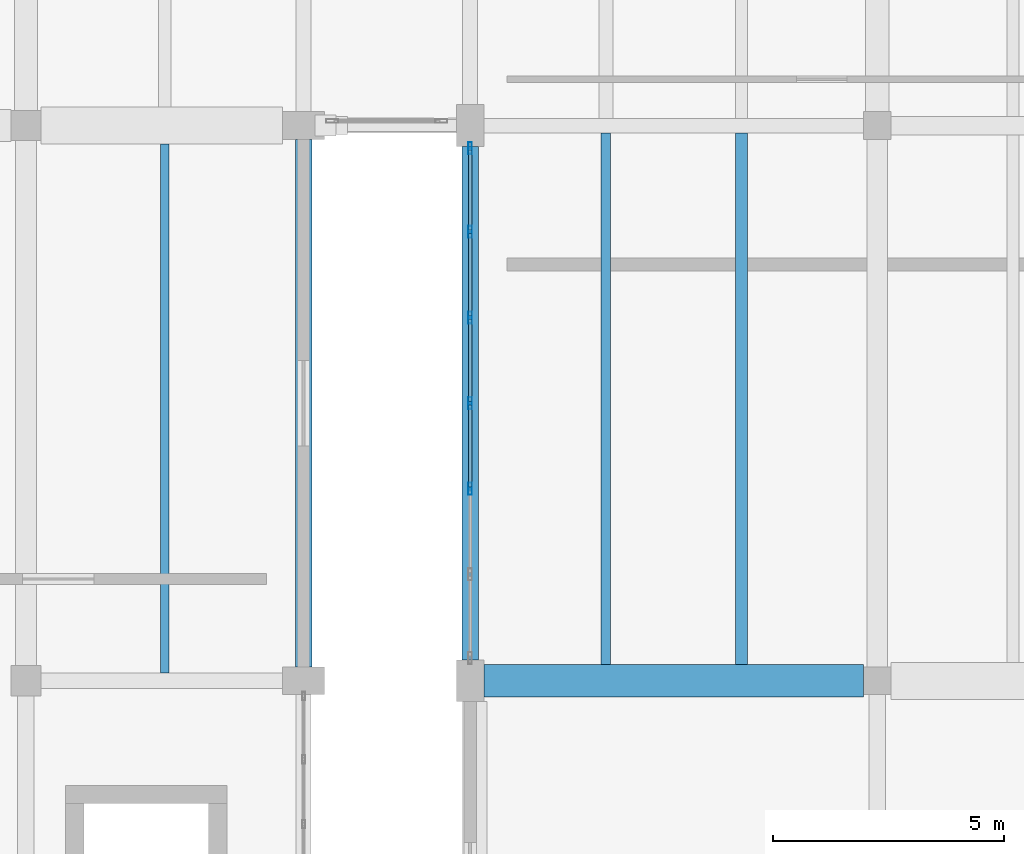
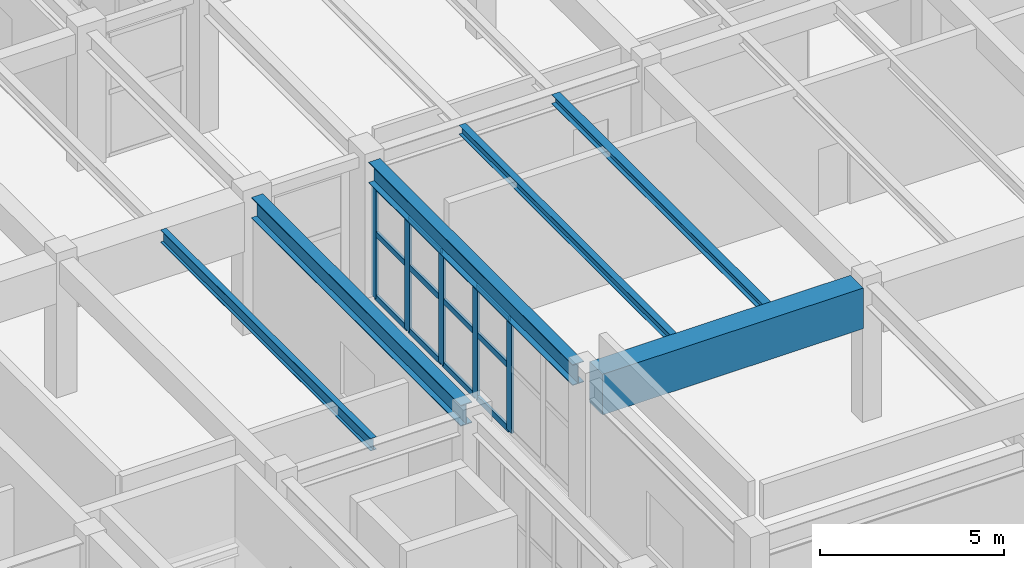
# One storey, part 29 of 85: 17 members, 6 beams, 1 element without a shape of its own.
"""IFC4 building model written with IfcOpenShell, lengths in metres."""

from ifc_helpers import new_model, si_unit, direction, frame, origin, origin_2d, place, context, subcontext, project, spatial, rectangle, hollow_rectangle, i_section, extrude, material, layer, layer_set, material_profile, profile_set, type_object, element, aggregate, save


model = new_model("IFC4")

# Units and contexts
model_context = context("Model", 3, precision=1e-05, world=origin(), true_north=direction((0.0, 1.0)))
body_context = subcontext(model_context, "Body", "Model", "MODEL_VIEW")
ifc_project = project(units=[si_unit("LENGTHUNIT", "METRE"), si_unit("AREAUNIT", "SQUARE_METRE"), si_unit("VOLUMEUNIT", "CUBIC_METRE"), si_unit("PLANEANGLEUNIT", "RADIAN"), si_unit("MASSUNIT", "GRAM", prefix="KILO")], contexts=[model_context])

# Site, building, storey
site_placement = place(None, origin())
site = spatial("IfcSite", under=ifc_project, at=site_placement, CompositionType="ELEMENT")
building_placement = place(site_placement, origin())
building = spatial("IfcBuilding", under=site, at=building_placement, Name="Vaelkrest Opera House", CompositionType="ELEMENT")
storey_placement = place(building_placement, frame((0.0, 0.0, 10.199951171875)))
storey = spatial("IfcBuildingStorey", under=building, at=storey_placement, Name="L02", CompositionType="ELEMENT", Elevation=10.199951171875)

# Beam
ifc_material_1 = material(Name="Concrete C50/60", Category="concrete")
ifc_material_profile_1 = material_profile(ifc_material_1, rectangle(XDim=0.699951171875, YDim=1.35009765625, at=origin_2d()), Name="RCB700X1350")
ifc_profile_set_1 = profile_set([ifc_material_profile_1], Name="Concrete C50/60")
beam_type_1 = type_object("IfcBeamType", Name="B06", PredefinedType="BEAM", material=ifc_profile_set_1)
beam_1_placement = place(storey_placement, frame((33.89990234375, -19.800048828125, 3.830078125), z_axis=(1.0, 0.0, 0.0), x_axis=(0.0, 1.0, 0.0)))
element("IfcBeam", 1, at=beam_1_placement, inside=storey, type_object=beam_type_1, Name="Beam BM-V4-L02-2255", PredefinedType="BEAM", context=body_context, shape_type="SweptSolid", body=[
    extrude(rectangle(XDim=0.699951171875, YDim=1.35009765625, at=origin_2d()), origin(), (0.0, 0.0, 1.0), 8.2001953125),
])

# Curtain wall, members
ifc_material_2 = material(Name="Dark bronze anodized aluminium", Category="aluminium")
ifc_layer = layer(ifc_material_2, 0.2099609375)
ifc_layer_set = layer_set([ifc_layer], Name="Dark bronze anodized aluminium")
curtain_wall_type = type_object("IfcCurtainWallType", Name="CW04", PredefinedType="NOTDEFINED", material=ifc_layer_set)
curtain_wall_placement = place(storey_placement, origin())
curtain_wall = element("IfcCurtainWall", 2, at=curtain_wall_placement, inside=storey, type_object=curtain_wall_type, Name="Curtain wall CW-L02-161", PredefinedType="NOTDEFINED")
ifc_material_profile_2 = material_profile(ifc_material_2, hollow_rectangle(XDim=0.080078125, YDim=0.260009765625, WallThickness=0.0048828125, at=origin_2d()), Name="CWM80X260")
ifc_profile_set_2 = profile_set([ifc_material_profile_2], Name="Dark bronze anodized aluminium")
member_type_1 = type_object("IfcMemberType", Name="CWM04", PredefinedType="MULLION", material=ifc_profile_set_2)
member_1_placement = place(storey_placement, frame((33.60009765625, -15.650634765625, 0.0), z_axis=(0.0, 0.0, 1.0), x_axis=(-1.0, 0.0, 0.0)))
member_1 = element("IfcMember", 3, at=member_1_placement, type_object=member_type_1, Name="CW04 mullion 3", PredefinedType="MULLION", context=body_context, shape_type="SweptSolid", body=[
    extrude(hollow_rectangle(XDim=0.080078125, YDim=0.260009765625, WallThickness=0.0048828125, at=origin_2d()), origin(), (0.0, 0.0, 1.0), 3.7451171875),
])
member_2_placement = place(storey_placement, frame((33.60009765625, -13.800048828125, 0.0), z_axis=(0.0, 0.0, 1.0), x_axis=(-1.0, 0.0, 0.0)))
member_2 = element("IfcMember", 4, at=member_2_placement, type_object=member_type_1, Name="CW04 mullion 4", PredefinedType="MULLION", context=body_context, shape_type="SweptSolid", body=[
    extrude(hollow_rectangle(XDim=0.080078125, YDim=0.260009765625, WallThickness=0.0048828125, at=origin_2d()), origin(), (0.0, 0.0, 1.0), 3.7451171875),
])
member_3_placement = place(storey_placement, frame((33.60009765625, -11.94921875, 0.0), z_axis=(0.0, 0.0, 1.0), x_axis=(-1.0, 0.0, 0.0)))
member_3 = element("IfcMember", 5, at=member_3_placement, type_object=member_type_1, Name="CW04 mullion 5", PredefinedType="MULLION", context=body_context, shape_type="SweptSolid", body=[
    extrude(hollow_rectangle(XDim=0.080078125, YDim=0.260009765625, WallThickness=0.0048828125, at=origin_2d()), origin(), (0.0, 0.0, 1.0), 3.7451171875),
])
member_4_placement = place(storey_placement, frame((33.60009765625, -10.0986328125, 0.0), z_axis=(0.0, 0.0, 1.0), x_axis=(-1.0, 0.0, 0.0)))
member_4 = element("IfcMember", 6, at=member_4_placement, type_object=member_type_1, Name="CW04 mullion 6", PredefinedType="MULLION", context=body_context, shape_type="SweptSolid", body=[
    extrude(hollow_rectangle(XDim=0.080078125, YDim=0.260009765625, WallThickness=0.0048828125, at=origin_2d()), origin(), (0.0, 0.0, 1.0), 3.7451171875),
])
member_5_placement = place(storey_placement, frame((33.60009765625, -8.2880859375, 0.0), z_axis=(0.0, 0.0, 1.0), x_axis=(-1.0, 0.0, 0.0)))
member_5 = element("IfcMember", 7, at=member_5_placement, type_object=member_type_1, Name="CW04 mullion 7", PredefinedType="MULLION", context=body_context, shape_type="SweptSolid", body=[
    extrude(hollow_rectangle(XDim=0.080078125, YDim=0.260009765625, WallThickness=0.0048828125, at=origin_2d()), origin(), (0.0, 0.0, 1.0), 3.7451171875),
])
ifc_material_profile_3 = material_profile(ifc_material_2, hollow_rectangle(XDim=0.080078125, YDim=0.18994140625, WallThickness=0.0048828125, at=origin_2d()), Name="CWT80X190")
ifc_profile_set_3 = profile_set([ifc_material_profile_3], Name="Dark bronze anodized aluminium")
member_type_2 = type_object("IfcMemberType", Name="CWT04", PredefinedType="USERDEFINED", material=ifc_profile_set_3)
member_6_placement = place(storey_placement, frame((33.60009765625, -15.610595703125, 0.0400390625), z_axis=(0.0, 1.0, 0.0), x_axis=(-1.0, 0.0, 0.0)))
member_6 = element("IfcMember", 8, at=member_6_placement, type_object=member_type_2, Name="CW04 transom 3.1", ObjectType="TRANSOM", PredefinedType="USERDEFINED", context=body_context, shape_type="SweptSolid", body=[
    extrude(hollow_rectangle(XDim=0.080078125, YDim=0.18994140625, WallThickness=0.0048828125, at=origin_2d()), origin(), (0.0, 0.0, 1.0), 1.7705078125),
])
member_7_placement = place(storey_placement, frame((33.60009765625, -15.610595703125, 2.150146484375), z_axis=(0.0, 1.0, 0.0), x_axis=(-1.0, 0.0, 0.0)))
member_7 = element("IfcMember", 9, at=member_7_placement, type_object=member_type_2, Name="CW04 transom 3.2", ObjectType="TRANSOM", PredefinedType="USERDEFINED", context=body_context, shape_type="SweptSolid", body=[
    extrude(hollow_rectangle(XDim=0.080078125, YDim=0.18994140625, WallThickness=0.0048828125, at=origin_2d()), origin(), (0.0, 0.0, 1.0), 1.7705078125),
])
member_8_placement = place(storey_placement, frame((33.60009765625, -15.610595703125, 3.705078125), z_axis=(0.0, 1.0, 0.0), x_axis=(-1.0, 0.0, 0.0)))
member_8 = element("IfcMember", 10, at=member_8_placement, type_object=member_type_2, Name="CW04 transom 3.3", ObjectType="TRANSOM", PredefinedType="USERDEFINED", context=body_context, shape_type="SweptSolid", body=[
    extrude(hollow_rectangle(XDim=0.080078125, YDim=0.18994140625, WallThickness=0.0048828125, at=origin_2d()), origin(), (0.0, 0.0, 1.0), 1.7705078125),
])
member_9_placement = place(storey_placement, frame((33.60009765625, -13.760009765625, 0.0400390625), z_axis=(0.0, 1.0, 0.0), x_axis=(-1.0, 0.0, 0.0)))
member_9 = element("IfcMember", 11, at=member_9_placement, type_object=member_type_2, Name="CW04 transom 4.1", ObjectType="TRANSOM", PredefinedType="USERDEFINED", context=body_context, shape_type="SweptSolid", body=[
    extrude(hollow_rectangle(XDim=0.080078125, YDim=0.18994140625, WallThickness=0.0048828125, at=origin_2d()), origin(), (0.0, 0.0, 1.0), 1.770751953125),
])
member_10_placement = place(storey_placement, frame((33.60009765625, -13.760009765625, 2.150146484375), z_axis=(0.0, 1.0, 0.0), x_axis=(-1.0, 0.0, 0.0)))
member_10 = element("IfcMember", 12, at=member_10_placement, type_object=member_type_2, Name="CW04 transom 4.2", ObjectType="TRANSOM", PredefinedType="USERDEFINED", context=body_context, shape_type="SweptSolid", body=[
    extrude(hollow_rectangle(XDim=0.080078125, YDim=0.18994140625, WallThickness=0.0048828125, at=origin_2d()), origin(), (0.0, 0.0, 1.0), 1.770751953125),
])
member_11_placement = place(storey_placement, frame((33.60009765625, -13.760009765625, 3.705078125), z_axis=(0.0, 1.0, 0.0), x_axis=(-1.0, 0.0, 0.0)))
member_11 = element("IfcMember", 13, at=member_11_placement, type_object=member_type_2, Name="CW04 transom 4.3", ObjectType="TRANSOM", PredefinedType="USERDEFINED", context=body_context, shape_type="SweptSolid", body=[
    extrude(hollow_rectangle(XDim=0.080078125, YDim=0.18994140625, WallThickness=0.0048828125, at=origin_2d()), origin(), (0.0, 0.0, 1.0), 1.770751953125),
])
member_12_placement = place(storey_placement, frame((33.60009765625, -11.909423828125, 0.0400390625), z_axis=(0.0, 1.0, 0.0), x_axis=(-1.0, 0.0, 0.0)))
member_12 = element("IfcMember", 14, at=member_12_placement, type_object=member_type_2, Name="CW04 transom 5.1", ObjectType="TRANSOM", PredefinedType="USERDEFINED", context=body_context, shape_type="SweptSolid", body=[
    extrude(hollow_rectangle(XDim=0.080078125, YDim=0.18994140625, WallThickness=0.0048828125, at=origin_2d()), origin(), (0.0, 0.0, 1.0), 1.770751953125),
])
member_13_placement = place(storey_placement, frame((33.60009765625, -11.909423828125, 2.150146484375), z_axis=(0.0, 1.0, 0.0), x_axis=(-1.0, 0.0, 0.0)))
member_13 = element("IfcMember", 15, at=member_13_placement, type_object=member_type_2, Name="CW04 transom 5.2", ObjectType="TRANSOM", PredefinedType="USERDEFINED", context=body_context, shape_type="SweptSolid", body=[
    extrude(hollow_rectangle(XDim=0.080078125, YDim=0.18994140625, WallThickness=0.0048828125, at=origin_2d()), origin(), (0.0, 0.0, 1.0), 1.770751953125),
])
member_14_placement = place(storey_placement, frame((33.60009765625, -11.909423828125, 3.705078125), z_axis=(0.0, 1.0, 0.0), x_axis=(-1.0, 0.0, 0.0)))
member_14 = element("IfcMember", 16, at=member_14_placement, type_object=member_type_2, Name="CW04 transom 5.3", ObjectType="TRANSOM", PredefinedType="USERDEFINED", context=body_context, shape_type="SweptSolid", body=[
    extrude(hollow_rectangle(XDim=0.080078125, YDim=0.18994140625, WallThickness=0.0048828125, at=origin_2d()), origin(), (0.0, 0.0, 1.0), 1.770751953125),
])
member_15_placement = place(storey_placement, frame((33.60009765625, -10.05859375, 0.0400390625), z_axis=(0.0, 1.0, 0.0), x_axis=(-1.0, 0.0, 0.0)))
member_15 = element("IfcMember", 17, at=member_15_placement, type_object=member_type_2, Name="CW04 transom 6.1", ObjectType="TRANSOM", PredefinedType="USERDEFINED", context=body_context, shape_type="SweptSolid", body=[
    extrude(hollow_rectangle(XDim=0.080078125, YDim=0.18994140625, WallThickness=0.0048828125, at=origin_2d()), origin(), (0.0, 0.0, 1.0), 1.730712890625),
])
member_16_placement = place(storey_placement, frame((33.60009765625, -10.05859375, 2.150146484375), z_axis=(0.0, 1.0, 0.0), x_axis=(-1.0, 0.0, 0.0)))
member_16 = element("IfcMember", 18, at=member_16_placement, type_object=member_type_2, Name="CW04 transom 6.2", ObjectType="TRANSOM", PredefinedType="USERDEFINED", context=body_context, shape_type="SweptSolid", body=[
    extrude(hollow_rectangle(XDim=0.080078125, YDim=0.18994140625, WallThickness=0.0048828125, at=origin_2d()), origin(), (0.0, 0.0, 1.0), 1.730712890625),
])
member_17_placement = place(storey_placement, frame((33.60009765625, -10.05859375, 3.705078125), z_axis=(0.0, 1.0, 0.0), x_axis=(-1.0, 0.0, 0.0)))
member_17 = element("IfcMember", 19, at=member_17_placement, type_object=member_type_2, Name="CW04 transom 6.3", ObjectType="TRANSOM", PredefinedType="USERDEFINED", context=body_context, shape_type="SweptSolid", body=[
    extrude(hollow_rectangle(XDim=0.080078125, YDim=0.18994140625, WallThickness=0.0048828125, at=origin_2d()), origin(), (0.0, 0.0, 1.0), 1.730712890625),
])
aggregate(curtain_wall, [member_1, member_2, member_3, member_4, member_5, member_6, member_7, member_8, member_9, member_10, member_11, member_12, member_13, member_14, member_15, member_16, member_17])

# Beams
ifc_material_3 = material(Name="Steel A992 Gr50", Category="steel")
ifc_material_profile_4 = material_profile(ifc_material_3, i_section(OverallWidth=0.202880859375, OverallDepth=0.302978515625, WebThickness=0.007568359375, FlangeThickness=0.01318359375, at=origin_2d()), Name="W12X40")
ifc_profile_set_4 = profile_set([ifc_material_profile_4], Name="Steel A992 Gr50")
beam_type_2 = type_object("IfcBeamType", Name="J02", PredefinedType="JOIST", material=ifc_profile_set_4)
beam_2_placement = place(storey_placement, frame((36.532958984375, -19.449951171875, 4.353515625), z_axis=(0.0, 1.0, 0.0), x_axis=(-1.0, 0.0, 0.0)))
element("IfcBeam", 20, at=beam_2_placement, inside=storey, type_object=beam_type_2, Name="Floor joist JST-V4-L02-2312", PredefinedType="JOIST", context=body_context, shape_type="SweptSolid", body=[
    extrude(i_section(OverallWidth=0.202880859375, OverallDepth=0.302978515625, WebThickness=0.007568359375, FlangeThickness=0.01318359375, at=origin_2d()), origin(), (0.0, 0.0, 1.0), 11.492431640625),
])
ifc_material_profile_5 = material_profile(ifc_material_3, i_section(OverallWidth=0.25390625, OverallDepth=0.305908203125, WebThickness=0.0087890625, FlangeThickness=0.0146484375, at=origin_2d()), Name="W12X53")
ifc_profile_set_5 = profile_set([ifc_material_profile_5], Name="Steel A992 Gr50")
beam_type_3 = type_object("IfcBeamType", Name="J03", PredefinedType="JOIST", material=ifc_profile_set_5)
beam_3_placement = place(storey_placement, frame((39.467041015625, -19.449951171875, 4.35205078125), z_axis=(0.0, 1.0, 0.0), x_axis=(-1.0, 0.0, 0.0)))
element("IfcBeam", 21, at=beam_3_placement, inside=storey, type_object=beam_type_3, Name="Floor joist JST-V4-L02-2313", PredefinedType="JOIST", context=body_context, shape_type="SweptSolid", body=[
    extrude(i_section(OverallWidth=0.25390625, OverallDepth=0.305908203125, WebThickness=0.0087890625, FlangeThickness=0.0146484375, at=origin_2d()), origin(), (0.0, 0.0, 1.0), 11.492431640625),
])
ifc_material_profile_6 = material_profile(ifc_material_3, i_section(OverallWidth=0.180908203125, OverallDepth=0.4169921875, WebThickness=0.010986328125, FlangeThickness=0.018310546875, at=origin_2d()), Name="W16X57")
ifc_profile_set_6 = profile_set([ifc_material_profile_6], Name="Steel A992 Gr50")
beam_type_4 = type_object("IfcBeamType", Name="J07", PredefinedType="JOIST", material=ifc_profile_set_6)
beam_4_placement = place(storey_placement, frame((27.0, -19.636474609375, 4.296630859375), z_axis=(0.0, 1.0, 0.0), x_axis=(-1.0, 0.0, 0.0)))
element("IfcBeam", 22, at=beam_4_placement, inside=storey, type_object=beam_type_4, Name="Floor joist JST-V1-L02-0417", PredefinedType="JOIST", context=body_context, shape_type="SweptSolid", body=[
    extrude(i_section(OverallWidth=0.180908203125, OverallDepth=0.4169921875, WebThickness=0.010986328125, FlangeThickness=0.018310546875, at=origin_2d()), origin(), (0.0, 0.0, 1.0), 11.4365234375),
])
ifc_material_profile_7 = material_profile(ifc_material_3, i_section(OverallWidth=0.35498046875, OverallDepth=0.695068359375, WebThickness=0.015380859375, FlangeThickness=0.02490234375, at=origin_2d()), Name="W27X146")
ifc_profile_set_7 = profile_set([ifc_material_profile_7], Name="Steel A992 Gr50")
beam_type_5 = type_object("IfcBeamType", Name="SP02", PredefinedType="SPANDREL", material=ifc_profile_set_7)
beam_5_placement = place(storey_placement, frame((30.0, -19.5, 4.157470703125), z_axis=(0.0, 1.0, 0.0), x_axis=(-1.0, 0.0, 0.0)))
element("IfcBeam", 23, at=beam_5_placement, inside=storey, type_object=beam_type_5, Name="Beam BM-V1-L02-0403", PredefinedType="SPANDREL", context=body_context, shape_type="SweptSolid", body=[
    extrude(i_section(OverallWidth=0.35498046875, OverallDepth=0.695068359375, WebThickness=0.015380859375, FlangeThickness=0.02490234375, at=origin_2d()), origin(), (0.0, 0.0, 1.0), 11.39990234375),
])
beam_6_placement = place(storey_placement, frame((33.60009765625, -19.35009765625, 4.157470703125), z_axis=(0.0, 1.0, 0.0), x_axis=(-1.0, 0.0, 0.0)))
element("IfcBeam", 24, at=beam_6_placement, inside=storey, type_object=beam_type_5, Name="Beam BM-V4-L02-2281", PredefinedType="SPANDREL", context=body_context, shape_type="SweptSolid", body=[
    extrude(i_section(OverallWidth=0.35498046875, OverallDepth=0.695068359375, WebThickness=0.015380859375, FlangeThickness=0.02490234375, at=origin_2d()), origin(), (0.0, 0.0, 1.0), 11.10009765625),
])

save(model, "model.ifc")
